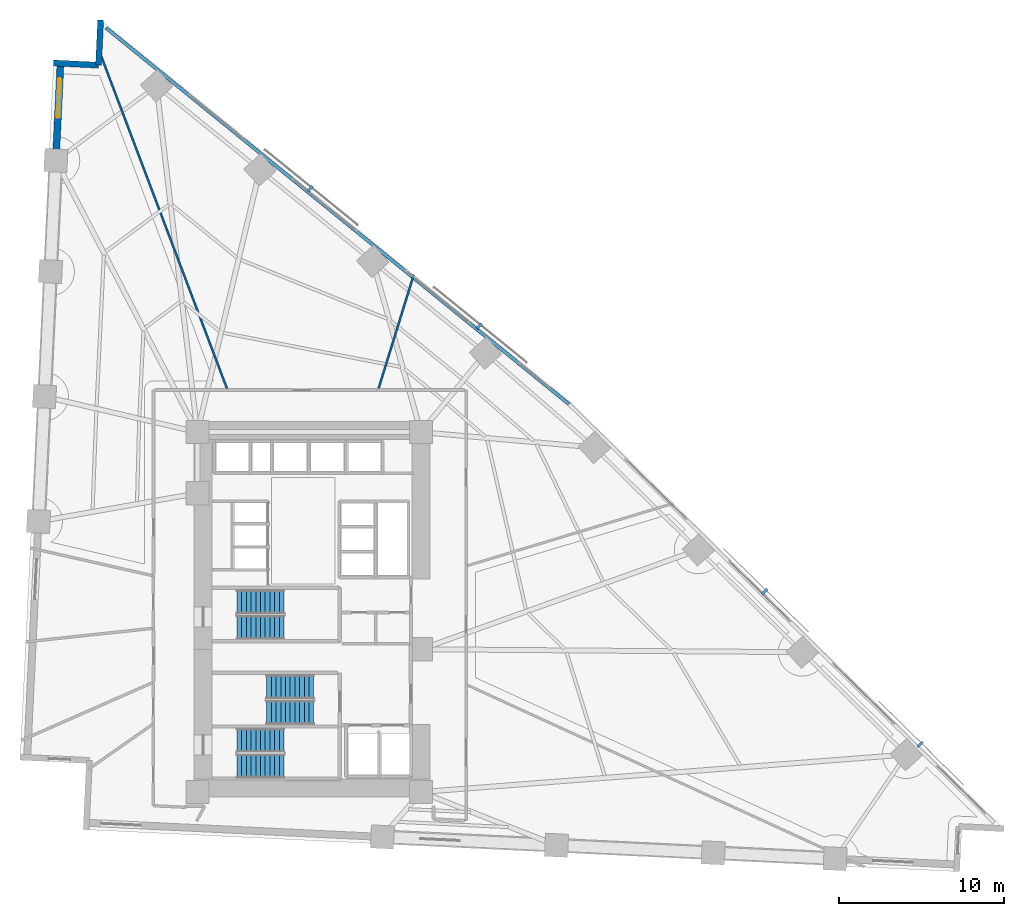
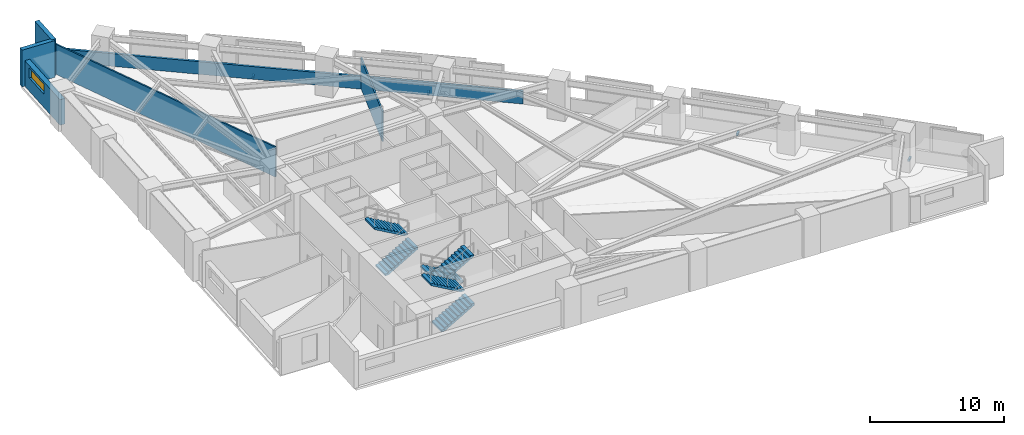
# One storey, part 16 of 18: 6 stair flights, 6 walls, 4 discrete accessories, 1 window, 1 opening, 3 elements without a shape of their own.
"""IFC4 building model written with IfcOpenShell, lengths in metres."""

import ifcopenshell
import ifcopenshell.guid

model = None  # the IFC model being written
_history = None  # IfcOwnerHistory: only IFC2X3 demands one
_inside = {}  # id of a spatial element -> (the spatial element, [elements in it])
_under = {}  # id of a project, library or spatial element -> (it, [spatial elements below it])
_declared = {}  # id of a project -> (the project, [libraries it declares])
_typed = {}  # id of a type object -> (the type object, [elements of that type])
_made_of = {}  # id of a material, layer set ... -> (it, [elements and type objects made of it])


def new_model(schema):
    """Start an empty IFC model of exactly this schema.

    Asked for "IFC4X3", IfcOpenShell would pick the latest addendum, in which some entities
    have other attributes; the version numbers below select the first issue.
    IFC2X3 requires an IfcOwnerHistory on every rooted entity: one is made here for all.
    """
    global model, _history
    if schema == "IFC4X3":
        model = ifcopenshell.file(schema_version=(4, 3, 0, 0))
    else:
        model = ifcopenshell.file(schema=schema)
    _inside.clear()
    _under.clear()
    _declared.clear()
    _typed.clear()
    _made_of.clear()
    _history = None
    if model.schema == "IFC2X3":
        org = make("IfcOrganization", Name="unknown")
        user = make(
            "IfcPersonAndOrganization",
            ThePerson=make("IfcPerson", FamilyName="unknown"),
            TheOrganization=org,
        )
        app = make(
            "IfcApplication",
            ApplicationDeveloper=org,
            Version="unknown",
            ApplicationFullName="unknown",
            ApplicationIdentifier="unknown",
        )
        _history = make(
            "IfcOwnerHistory",
            OwningUser=user,
            OwningApplication=app,
            ChangeAction="ADDED",
            CreationDate=0,
        )
    return model


def make(cls, **values):
    """One entity of the class cls with the attributes given. An attribute that is None is left unset."""
    return model.create_entity(
        cls, **{name: value for name, value in values.items() if value is not None}
    )


def rooted(cls, **values):
    """An entity with a GlobalId (a new one), such as an element, a storey or a relation."""
    return make(cls, GlobalId=ifcopenshell.guid.new(), OwnerHistory=_history, **values)


def si_unit(unit_type, name, prefix=None):
    """IfcSIUnit, for example si_unit("LENGTHUNIT", "METRE", prefix="MILLI")."""
    return make("IfcSIUnit", UnitType=unit_type, Prefix=prefix, Name=name)


def assignment(units):
    """IfcUnitAssignment: the units of a project."""
    return None if units is None else make("IfcUnitAssignment", Units=units)


def point(xyz):
    """IfcCartesianPoint."""
    return None if xyz is None else make("IfcCartesianPoint", Coordinates=xyz)


def direction(xyz):
    """IfcDirection."""
    return None if xyz is None else make("IfcDirection", DirectionRatios=xyz)


def frame(location, z_axis=None, x_axis=None):
    """IfcAxis2Placement3D, a coordinate frame: its origin and axes. An axis left out is left unset."""
    return make(
        "IfcAxis2Placement3D",
        Location=point(location),
        Axis=direction(z_axis),
        RefDirection=direction(x_axis),
    )


def frame_2d(location, x_axis=None):
    """IfcAxis2Placement2D, a coordinate frame in the plane: its origin and x axis."""
    return make(
        "IfcAxis2Placement2D", Location=point(location), RefDirection=direction(x_axis)
    )


def origin():
    """The frame at (0, 0, 0) with its axes left unset."""
    return frame((0.0, 0.0, 0.0))


def origin_2d():
    """The frame at (0, 0) in the plane with its x axis left unset."""
    return frame_2d((0.0, 0.0))


def place(relative_to, where):
    """IfcLocalPlacement: puts the frame where relative to a parent placement (None: the world)."""
    return make(
        "IfcLocalPlacement", PlacementRelTo=relative_to, RelativePlacement=where
    )


def context(
    kind, dimensions, precision=None, world=None, true_north=None, identifier=None
):
    """IfcGeometricRepresentationContext, for example the 3D "Model" context."""
    return make(
        "IfcGeometricRepresentationContext",
        ContextIdentifier=identifier,
        ContextType=kind,
        CoordinateSpaceDimension=dimensions,
        Precision=precision,
        WorldCoordinateSystem=world,
        TrueNorth=true_north,
    )


def subcontext(parent, identifier, kind, view, scale=None):
    """IfcGeometricRepresentationSubContext, for example "Body" below "Model"."""
    return make(
        "IfcGeometricRepresentationSubContext",
        ContextIdentifier=identifier,
        ContextType=kind,
        ParentContext=parent,
        TargetScale=scale,
        TargetView=view,
    )


def project(units=None, contexts=None):
    """IfcProject with its units and contexts."""
    return rooted(
        "IfcProject",
        Name="project",
        RepresentationContexts=contexts,
        UnitsInContext=assignment(units),
    )


def spatial(cls, under=None, at=None, **own):
    """A site, building, storey or space (cls), placed at a placement, below another one or the project."""
    s = rooted(cls, ObjectPlacement=at, **own)
    if under is not None:
        _under.setdefault(under.id(), (under, []))[1].append(s)
    return s


def polyline(points):
    """IfcPolyline through the points."""
    return make("IfcPolyline", Points=[point(p) for p in points])


def profile(cls, at=None, kind="AREA", **sizes):
    """A parametric profile (cls). Its sizes go by their IFC names, for example OverallWidth=200.0."""
    return make(cls, ProfileType=kind, Position=at, **sizes)


def rectangle(**sizes):
    """IfcRectangleProfileDef."""
    return profile("IfcRectangleProfileDef", **sizes)


def outline(outer, holes=None, kind="AREA"):
    """IfcArbitraryClosedProfileDef: a profile drawn as a closed curve; with holes, ...WithVoids."""
    if holes is None:
        return make("IfcArbitraryClosedProfileDef", ProfileType=kind, OuterCurve=outer)
    return make(
        "IfcArbitraryProfileDefWithVoids",
        ProfileType=kind,
        OuterCurve=outer,
        InnerCurves=holes,
    )


def extrude(swept, where, along, depth):
    """IfcExtrudedAreaSolid: the profile swept, set in the frame where, extruded along a direction by depth."""
    return make(
        "IfcExtrudedAreaSolid",
        SweptArea=swept,
        Position=where,
        ExtrudedDirection=direction(along),
        Depth=depth,
    )


def shape(context_of_items, identifier, shape_type, items):
    """IfcShapeRepresentation: the items that make up one representation, for example the "Body"."""
    return make(
        "IfcShapeRepresentation",
        ContextOfItems=context_of_items,
        RepresentationIdentifier=identifier,
        RepresentationType=shape_type,
        Items=items,
    )


def material(Name=None, Category=None):
    """IfcMaterial."""
    return make("IfcMaterial", Name=Name, Category=Category)


def layer(
    of_material, thickness, ventilated=None, Name=None, Category=None, Priority=None
):
    """IfcMaterialLayer: one layer of a wall or slab, of a material (None: an air gap)."""
    return make(
        "IfcMaterialLayer",
        Material=of_material,
        LayerThickness=thickness,
        IsVentilated=ventilated,
        Name=Name,
        Category=Category,
        Priority=Priority,
    )


def layer_set(layers, Name=None):
    """IfcMaterialLayerSet."""
    return make("IfcMaterialLayerSet", MaterialLayers=layers, LayerSetName=Name)


def made_of(thing, what):
    """Note that an element or type object is made of a material, layer set ...; save() writes the relation."""
    if what is not None:
        _made_of.setdefault(what.id(), (what, []))[1].append(thing)
    return thing


def type_object(cls, material=None, **own):
    """A type object (cls), such as IfcWallType, which elements share."""
    return made_of(rooted(cls, **own), material)


def element(
    cls,
    number,
    at=None,
    inside=None,
    cuts=None,
    type_object=None,
    material=None,
    context=None,
    identifier="Body",
    shape_type=None,
    held_by="IfcProductDefinitionShape",
    body=None,
    shapes=None,
    **own,
):
    """One element of the class cls, such as IfcWall. Its Tag is "e" and its number.

    at: its placement. inside: the storey or other place that contains it. cuts: it is an
    opening in that element (IfcRelVoidsElement). A single representation is given by context,
    identifier, shape_type and body (its items); several are given by shapes. held_by: the class
    of the entity that holds the representations. save() writes the other relations.
    """
    e = rooted(cls, Tag="e%d" % number, ObjectPlacement=at, **own)
    if body is not None:
        shapes = [shape(context, identifier, shape_type, body)]
    if shapes is not None:
        e.Representation = make(held_by, Representations=shapes)
    if inside is not None:
        _inside.setdefault(inside.id(), (inside, []))[1].append(e)
    if cuts is not None:
        rooted(
            "IfcRelVoidsElement", RelatingBuildingElement=cuts, RelatedOpeningElement=e
        )
    if type_object is not None:
        _typed.setdefault(type_object.id(), (type_object, []))[1].append(e)
    return made_of(e, material)


def fill(opening, filler):
    """IfcRelFillsElement: the door or window that sits in an opening."""
    return rooted(
        "IfcRelFillsElement",
        RelatingOpeningElement=opening,
        RelatedBuildingElement=filler,
    )


def aggregate(whole, parts):
    """IfcRelAggregates: a whole, such as a stair, and the parts it consists of."""
    return rooted("IfcRelAggregates", RelatingObject=whole, RelatedObjects=parts)


def save(model, path):
    """Write the relations noted so far, then the file.

    IfcRelAggregates (storeys below a building ...), IfcRelContainedInSpatialStructure (elements
    in a storey), IfcRelDefinesByType, IfcRelAssociatesMaterial and IfcRelDeclares: one each for
    every whole, place, type object, material and project.
    """
    for whole, parts in _under.values():
        aggregate(whole, parts)
    for where, things in _inside.values():
        rooted(
            "IfcRelContainedInSpatialStructure",
            RelatedElements=things,
            RelatingStructure=where,
        )
    for kind, things in _typed.values():
        rooted("IfcRelDefinesByType", RelatedObjects=things, RelatingType=kind)
    for what, things in _made_of.values():
        rooted("IfcRelAssociatesMaterial", RelatedObjects=things, RelatingMaterial=what)
    for by, libraries in _declared.values():
        rooted("IfcRelDeclares", RelatingContext=by, RelatedDefinitions=libraries)
    model.write(path)


model = new_model("IFC4")

# Units and contexts
model_context = context("Model", 3, precision=1e-05, world=origin(), true_north=direction((0.0, 1.0)))
body_context = subcontext(model_context, "Body", "Model", "MODEL_VIEW")
ifc_project = project(units=[si_unit("LENGTHUNIT", "METRE"), si_unit("AREAUNIT", "SQUARE_METRE"), si_unit("VOLUMEUNIT", "CUBIC_METRE"), si_unit("PLANEANGLEUNIT", "RADIAN"), si_unit("MASSUNIT", "GRAM", prefix="KILO")], contexts=[model_context])

# Site, building, storey
site_placement = place(None, origin())
site = spatial("IfcSite", under=ifc_project, at=site_placement, CompositionType="ELEMENT")
building_placement = place(site_placement, origin())
building = spatial("IfcBuilding", under=site, at=building_placement, Name="Narakoshi Arena Tower", CompositionType="ELEMENT")
storey_placement = place(building_placement, frame((0.0, 0.0, 44.699951171875)))
storey = spatial("IfcBuildingStorey", under=building, at=storey_placement, Name="L11", CompositionType="ELEMENT", Elevation=44.699951171875)

# Walls
ifc_material_1 = material(Name="Precast concrete C45/55", Category="concrete")
ifc_layer_1 = layer(ifc_material_1, 0.25)
ifc_layer_set_1 = layer_set([ifc_layer_1], Name="Precast concrete C45/55")
wall_type_1 = type_object("IfcWallType", Name="WL-PARA-250", PredefinedType="PARAPET", material=ifc_layer_set_1)
wall_1_placement = place(storey_placement, frame((94.51318359375, 58.19580078125, 0.0), z_axis=(0.0, 0.0, 1.0), x_axis=(-0.776001602097, 0.630730935933, 0.0)))
element("IfcWall", 1, at=wall_1_placement, inside=storey, type_object=wall_type_1, Name="L11 Hypotenuse Sill Upstand Parapet 2-01", PredefinedType="PARAPET", context=body_context, shape_type="SweptSolid", body=[
    extrude(rectangle(XDim=36.14794921875, YDim=0.199951171875, at=frame_2d((18.073974609375, 0.0))), origin(), (0.0, 0.0, 1.0), 1.150146484375),
])
ifc_material_2 = material(Name="Gypsum plasterboard fire-rated partition")
ifc_layer_2 = layer(ifc_material_2, 0.125)
ifc_layer_set_2 = layer_set([ifc_layer_2], Name="Gypsum plasterboard fire-rated partition")
wall_type_2 = type_object("IfcWallType", Name="WL-PART-125", PredefinedType="PARTITIONING", material=ifc_layer_set_2)
wall_2_placement = place(storey_placement, frame((82.981689453125, 59.154541015625, 0.0), z_axis=(0.0, 0.0, 1.0), x_axis=(0.295491705725, 0.955345305033, 0.0)))
element("IfcWall", 2, at=wall_2_placement, inside=storey, type_object=wall_type_2, Name="L11 Inter-Room Partition 07-08", PredefinedType="PARTITIONING", context=body_context, shape_type="SweptSolid", body=[
    extrude(rectangle(XDim=7.21044921875, YDim=0.125, at=frame_2d((3.605224609375, 0.0))), origin(), (0.0, 0.0, 1.0), 2.72509765625),
])
wall_3_placement = place(storey_placement, frame((73.793701171875, 59.150634765625, 0.0), z_axis=(0.0, 0.0, 1.0), x_axis=(-0.353905559912, 0.935281163428, 0.0)))
element("IfcWall", 3, at=wall_3_placement, inside=storey, type_object=wall_type_2, Name="L11 Inter-Room Partition 08-09", PredefinedType="PARTITIONING", context=body_context, shape_type="SweptSolid", body=[
    extrude(rectangle(XDim=21.865966796875, YDim=0.125, at=frame_2d((10.93310546875, 0.0))), origin(), (0.0, 0.0, 1.0), 2.72509765625),
])

# Wall, opening, window
ifc_layer_3 = layer(ifc_material_1, 0.419921875)
ifc_layer_set_3 = layer_set([ifc_layer_3], Name="Precast concrete C45/55")
wall_type_3 = type_object("IfcWallType", Name="WL-POD-420", PredefinedType="SOLIDWALL", material=ifc_layer_set_3)
wall_4_placement = place(storey_placement, frame((63.711181640625, 78.84375, 0.0), z_axis=(0.0, 0.0, 1.0), x_axis=(-0.048007946398, -0.998846953784, 0.0)))
wall_4 = element("IfcWall", 4, at=wall_4_placement, inside=storey, type_object=wall_type_3, Name="L11 Architectural Concrete Facade Wall LEGB-1", PredefinedType="SOLIDWALL", context=body_context, shape_type="SweptSolid", body=[
    extrude(rectangle(XDim=5.89404296875, YDim=0.419921875, at=frame_2d((2.947021484375, 0.0))), origin(), (0.0, 0.0, 1.0), 2.324951171875),
])
opening_placement = place(wall_4_placement, frame((0.89990234375, 0.0, 1.199951171875)))
opening = element("IfcOpeningElement", 5, at=opening_placement, cuts=wall_4, Name="Opening WN-01", PredefinedType="OPENING", context=body_context, shape_type="SweptSolid", body=[
    extrude(rectangle(XDim=2.39990234375, YDim=0.89990234375, at=frame_2d((1.199951171875, 0.449951171875))), frame((0.0, 0.219970703125, 0.0), z_axis=(0.0, -1.0, 0.0), x_axis=(1.0, 0.0, 0.0)), (0.0, 0.0, 1.0), 0.43994140625),
])
ifc_material_3 = material(Name="Bronze-tinted low-E laminated glass", Category="glass")
window_type = type_object("IfcWindowType", Name="WIN-SLT-24x09", PartitioningType="SINGLE_PANEL", PredefinedType="WINDOW", material=ifc_material_3)
window_placement = place(opening_placement, origin())
window = element("IfcWindow", 6, at=window_placement, inside=storey, type_object=window_type, Name="L11 LEGB1 Horizontal Slot Window 1", OverallHeight=0.89990234375, OverallWidth=2.39990234375, PartitioningType="SINGLE_PANEL", PredefinedType="WINDOW", context=body_context, shape_type="SweptSolid", body=[
    extrude(rectangle(XDim=2.39990234375, YDim=0.89990234375, at=frame_2d((1.199951171875, 0.449951171875))), frame((0.0, 0.030029296875, 0.0), z_axis=(0.0, -1.0, 0.0), x_axis=(1.0, 0.0, 0.0)), (0.0, 0.0, 1.0), 0.06005859375),
])
fill(opening, window)

# Walls
for number, where, z_axis, x_axis, name in (
    (7, (66.144287109375, 81.4599609375, 0.0), (0.0, 0.0, 1.0), (-0.047934806162, -0.998850466465, 0.0), "L11 Re-Entrant Corner Notch Wall NTN-1"),
    (8, (66.013427734375, 78.733154296875, 0.0), (0.0, 0.0, 1.0), (-0.998846180588, 0.048024030708, 0.0), "L11 Re-Entrant Corner Notch Wall NTN-2"),
):
    element("IfcWall", number, at=place(storey_placement, frame(where, z_axis=z_axis, x_axis=x_axis)), inside=storey, type_object=wall_type_3, Name=name, PredefinedType="SOLIDWALL", context=body_context, shape_type="SweptSolid", body=[
        extrude(rectangle(XDim=2.72998046875, YDim=0.360107421875, at=frame_2d((1.364990234375, 0.0))), origin(), (0.0, 0.0, 1.0), 3.340087890625),
    ])

# Stair, stair flights
ifc_material_4 = material(Name="Concrete C45/55", Category="concrete")
stair_type = type_object("IfcStairType", Name="STR-CORE-360", PredefinedType="TWO_STRAIGHT_RUN_STAIR", material=ifc_material_4)
stair_1_placement = place(storey_placement, origin())
stair_1 = element("IfcStair", 9, at=stair_1_placement, inside=storey, type_object=stair_type, Name="L11 Core Escape Stair ST1", PredefinedType="TWO_STRAIGHT_RUN_STAIR")
stair_flight_type = type_object("IfcStairFlightType", Name="FLT-145-160", PredefinedType="STRAIGHT", material=ifc_material_1)
stair_flight_1_placement = place(storey_placement, frame((74.39990234375, 36.27490234375, 0.0), z_axis=(0.0, 0.0, 1.0), x_axis=(1.0, 0.0, 0.0)))
stair_flight_1 = element("IfcStairFlight", 10, at=stair_flight_1_placement, type_object=stair_flight_type, Name="ST1 flight 1", NumberOfRisers=11, NumberOfTreads=10, PredefinedType="STRAIGHT", RiserHeight=0.163636364, TreadLength=0.285, context=body_context, shape_type="SweptSolid", body=[
    extrude(outline(polyline([(0.0, 0.0), (0.0, 0.16357421875), (0.284912109375, 0.16357421875), (0.284912109375, 0.327392578125), (0.570068359375, 0.327392578125), (0.570068359375, 0.490966796875), (0.85498046875, 0.490966796875), (0.85498046875, 0.654541015625), (1.139892578125, 0.654541015625), (1.139892578125, 0.818115234375), (1.425048828125, 0.818115234375), (1.425048828125, 0.98193359375), (1.7099609375, 0.98193359375), (1.7099609375, 1.1455078125), (1.9951171875, 1.1455078125), (1.9951171875, 1.30908203125), (2.280029296875, 1.30908203125), (2.280029296875, 1.47265625), (2.56494140625, 1.47265625), (2.56494140625, 1.636474609375), (2.85009765625, 1.636474609375), (2.85009765625, 1.800048828125), (2.85009765625, 1.463623046875), (0.301025390625, 0.0), (0.0, 0.0)])), frame((0.0, 0.72509765625, 0.0), z_axis=(0.0, -1.0, 0.0), x_axis=(1.0, 0.0, 0.0)), (0.0, 0.0, 1.0), 1.449951171875),
])
stair_flight_2_placement = place(storey_placement, frame((77.25, 37.824951171875, 1.800048828125), z_axis=(0.0, 0.0, 1.0), x_axis=(-1.0, 0.0, 0.0)))
stair_flight_2 = element("IfcStairFlight", 11, at=stair_flight_2_placement, type_object=stair_flight_type, Name="ST1 flight 2", NumberOfRisers=11, NumberOfTreads=10, PredefinedType="STRAIGHT", RiserHeight=0.163636364, TreadLength=0.285, context=body_context, shape_type="SweptSolid", body=[
    extrude(outline(polyline([(0.0, 0.0), (0.0, 0.16357421875), (0.284912109375, 0.16357421875), (0.284912109375, 0.327392578125), (0.570068359375, 0.327392578125), (0.570068359375, 0.490966796875), (0.85498046875, 0.490966796875), (0.85498046875, 0.654541015625), (1.139892578125, 0.654541015625), (1.139892578125, 0.818115234375), (1.425048828125, 0.818115234375), (1.425048828125, 0.98193359375), (1.7099609375, 0.98193359375), (1.7099609375, 1.1455078125), (1.9951171875, 1.1455078125), (1.9951171875, 1.30908203125), (2.280029296875, 1.30908203125), (2.280029296875, 1.47265625), (2.56494140625, 1.47265625), (2.56494140625, 1.636474609375), (2.85009765625, 1.636474609375), (2.85009765625, 1.800048828125), (2.85009765625, 1.463623046875), (0.301025390625, 0.0), (0.0, 0.0)])), frame((0.0, 0.72509765625, 0.0), z_axis=(0.0, -1.0, 0.0), x_axis=(1.0, 0.0, 0.0)), (0.0, 0.0, 1.0), 1.449951171875),
])
aggregate(stair_1, [stair_flight_1, stair_flight_2])

stair_2_placement = place(storey_placement, origin())
stair_2 = element("IfcStair", 12, at=stair_2_placement, inside=storey, type_object=stair_type, Name="L11 Core Escape Stair ST2", PredefinedType="TWO_STRAIGHT_RUN_STAIR")
stair_flight_3_placement = place(storey_placement, frame((79.050048828125, 41.074951171875, 0.0), z_axis=(0.0, 0.0, 1.0), x_axis=(-1.0, 0.0, 0.0)))
stair_flight_3 = element("IfcStairFlight", 13, at=stair_flight_3_placement, type_object=stair_flight_type, Name="ST2 flight 1", NumberOfRisers=11, NumberOfTreads=10, PredefinedType="STRAIGHT", RiserHeight=0.163636364, TreadLength=0.285, context=body_context, shape_type="SweptSolid", body=[
    extrude(outline(polyline([(0.0, 0.0), (0.0, 0.16357421875), (0.284912109375, 0.16357421875), (0.284912109375, 0.327392578125), (0.570068359375, 0.327392578125), (0.570068359375, 0.490966796875), (0.85498046875, 0.490966796875), (0.85498046875, 0.654541015625), (1.139892578125, 0.654541015625), (1.139892578125, 0.818115234375), (1.425048828125, 0.818115234375), (1.425048828125, 0.98193359375), (1.7099609375, 0.98193359375), (1.7099609375, 1.1455078125), (1.9951171875, 1.1455078125), (1.9951171875, 1.30908203125), (2.280029296875, 1.30908203125), (2.280029296875, 1.47265625), (2.56494140625, 1.47265625), (2.56494140625, 1.636474609375), (2.85009765625, 1.636474609375), (2.85009765625, 1.800048828125), (2.85009765625, 1.463623046875), (0.301025390625, 0.0), (0.0, 0.0)])), frame((0.0, 0.72509765625, 0.0), z_axis=(0.0, -1.0, 0.0), x_axis=(1.0, 0.0, 0.0)), (0.0, 0.0, 1.0), 1.449951171875),
])
stair_flight_4_placement = place(storey_placement, frame((76.199951171875, 39.52490234375, 1.800048828125), z_axis=(0.0, 0.0, 1.0), x_axis=(1.0, 0.0, 0.0)))
stair_flight_4 = element("IfcStairFlight", 14, at=stair_flight_4_placement, type_object=stair_flight_type, Name="ST2 flight 2", NumberOfRisers=11, NumberOfTreads=10, PredefinedType="STRAIGHT", RiserHeight=0.163636364, TreadLength=0.285, context=body_context, shape_type="SweptSolid", body=[
    extrude(outline(polyline([(0.0, 0.0), (0.0, 0.16357421875), (0.284912109375, 0.16357421875), (0.284912109375, 0.327392578125), (0.570068359375, 0.327392578125), (0.570068359375, 0.490966796875), (0.85498046875, 0.490966796875), (0.85498046875, 0.654541015625), (1.139892578125, 0.654541015625), (1.139892578125, 0.818115234375), (1.425048828125, 0.818115234375), (1.425048828125, 0.98193359375), (1.7099609375, 0.98193359375), (1.7099609375, 1.1455078125), (1.9951171875, 1.1455078125), (1.9951171875, 1.30908203125), (2.280029296875, 1.30908203125), (2.280029296875, 1.47265625), (2.56494140625, 1.47265625), (2.56494140625, 1.636474609375), (2.85009765625, 1.636474609375), (2.85009765625, 1.800048828125), (2.85009765625, 1.463623046875), (0.301025390625, 0.0), (0.0, 0.0)])), frame((0.0, 0.72509765625, 0.0), z_axis=(0.0, -1.0, 0.0), x_axis=(1.0, 0.0, 0.0)), (0.0, 0.0, 1.0), 1.449951171875),
])
aggregate(stair_2, [stair_flight_3, stair_flight_4])

stair_3_placement = place(storey_placement, origin())
stair_3 = element("IfcStair", 15, at=stair_3_placement, inside=storey, type_object=stair_type, Name="L11 Core Escape Stair ST3", PredefinedType="TWO_STRAIGHT_RUN_STAIR")
stair_flight_5_placement = place(storey_placement, frame((74.39990234375, 44.675048828125, 0.0), z_axis=(0.0, 0.0, 1.0), x_axis=(1.0, 0.0, 0.0)))
stair_flight_5 = element("IfcStairFlight", 16, at=stair_flight_5_placement, type_object=stair_flight_type, Name="ST3 flight 1", NumberOfRisers=11, NumberOfTreads=10, PredefinedType="STRAIGHT", RiserHeight=0.163636364, TreadLength=0.285, context=body_context, shape_type="SweptSolid", body=[
    extrude(outline(polyline([(0.0, 0.0), (0.0, 0.16357421875), (0.284912109375, 0.16357421875), (0.284912109375, 0.327392578125), (0.570068359375, 0.327392578125), (0.570068359375, 0.490966796875), (0.85498046875, 0.490966796875), (0.85498046875, 0.654541015625), (1.139892578125, 0.654541015625), (1.139892578125, 0.818115234375), (1.425048828125, 0.818115234375), (1.425048828125, 0.98193359375), (1.7099609375, 0.98193359375), (1.7099609375, 1.1455078125), (1.9951171875, 1.1455078125), (1.9951171875, 1.30908203125), (2.280029296875, 1.30908203125), (2.280029296875, 1.47265625), (2.56494140625, 1.47265625), (2.56494140625, 1.636474609375), (2.85009765625, 1.636474609375), (2.85009765625, 1.800048828125), (2.85009765625, 1.463623046875), (0.301025390625, 0.0), (0.0, 0.0)])), frame((0.0, 0.72509765625, 0.0), z_axis=(0.0, -1.0, 0.0), x_axis=(1.0, 0.0, 0.0)), (0.0, 0.0, 1.0), 1.449951171875),
])
stair_flight_6_placement = place(storey_placement, frame((77.25, 46.22509765625, 1.800048828125), z_axis=(0.0, 0.0, 1.0), x_axis=(-1.0, 0.0, 0.0)))
stair_flight_6 = element("IfcStairFlight", 17, at=stair_flight_6_placement, type_object=stair_flight_type, Name="ST3 flight 2", NumberOfRisers=11, NumberOfTreads=10, PredefinedType="STRAIGHT", RiserHeight=0.163636364, TreadLength=0.285, context=body_context, shape_type="SweptSolid", body=[
    extrude(outline(polyline([(0.0, 0.0), (0.0, 0.16357421875), (0.284912109375, 0.16357421875), (0.284912109375, 0.327392578125), (0.570068359375, 0.327392578125), (0.570068359375, 0.490966796875), (0.85498046875, 0.490966796875), (0.85498046875, 0.654541015625), (1.139892578125, 0.654541015625), (1.139892578125, 0.818115234375), (1.425048828125, 0.818115234375), (1.425048828125, 0.98193359375), (1.7099609375, 0.98193359375), (1.7099609375, 1.1455078125), (1.9951171875, 1.1455078125), (1.9951171875, 1.30908203125), (2.280029296875, 1.30908203125), (2.280029296875, 1.47265625), (2.56494140625, 1.47265625), (2.56494140625, 1.636474609375), (2.85009765625, 1.636474609375), (2.85009765625, 1.800048828125), (2.85009765625, 1.463623046875), (0.301025390625, 0.0), (0.0, 0.0)])), frame((0.0, 0.72509765625, 0.0), z_axis=(0.0, -1.0, 0.0), x_axis=(1.0, 0.0, 0.0)), (0.0, 0.0, 1.0), 1.449951171875),
])
aggregate(stair_3, [stair_flight_5, stair_flight_6])

# Discrete accessories
ifc_material_5 = material(Name="Structural steel S355J2", Category="steel")
discrete_accessory_type = type_object("IfcDiscreteAccessoryType", Name="ACC-BRK-SCR", PredefinedType="BRACKET", material=ifc_material_5)
for number, where, z_axis, x_axis, name in (
    (18, (115.783203125, 37.58740234375, -0.080078125), (0.0, 0.0, 1.0), (-0.712540559713, 0.70163092204, 0.0), "L11 Solar Screen Support Bracket SHD-L11-SCR1-1"),
    (19, (106.377685546875, 46.848876953125, -0.080078125), (0.0, 0.0, 1.0), (-0.712540559713, 0.70163092204, 0.0), "L11 Solar Screen Support Bracket SHD-L11-SCR1-2"),
    (20, (89.077392578125, 62.923095703125, -0.080078125), (0.0, 0.0, 1.0), (-0.776002375698, 0.630729984154, 0.0), "L11 Solar Screen Support Bracket SHD-L11-SCR2-1"),
    (21, (78.833984375, 71.248779296875, -0.080078125), (0.0, 0.0, 1.0), (-0.776002375698, 0.630729984154, 0.0), "L11 Solar Screen Support Bracket SHD-L11-SCR2-2"),
):
    element("IfcDiscreteAccessory", number, at=place(storey_placement, frame(where, z_axis=z_axis, x_axis=x_axis)), inside=storey, type_object=discrete_accessory_type, Name=name, PredefinedType="BRACKET", context=body_context, shape_type="SweptSolid", body=[
        extrude(rectangle(XDim=0.159912109375, YDim=0.425048828125, at=origin_2d()), origin(), (0.0, 0.0, 1.0), 0.199951171875),
    ])

save(model, "model.ifc")
